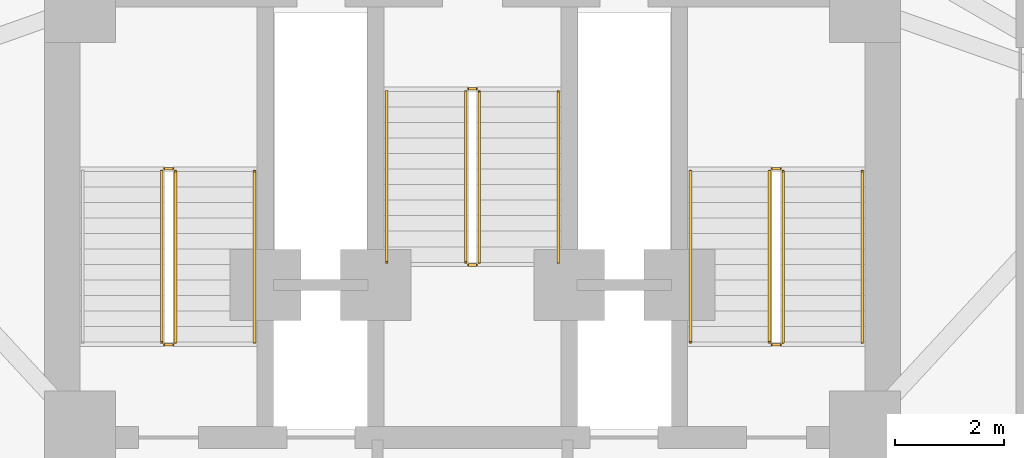
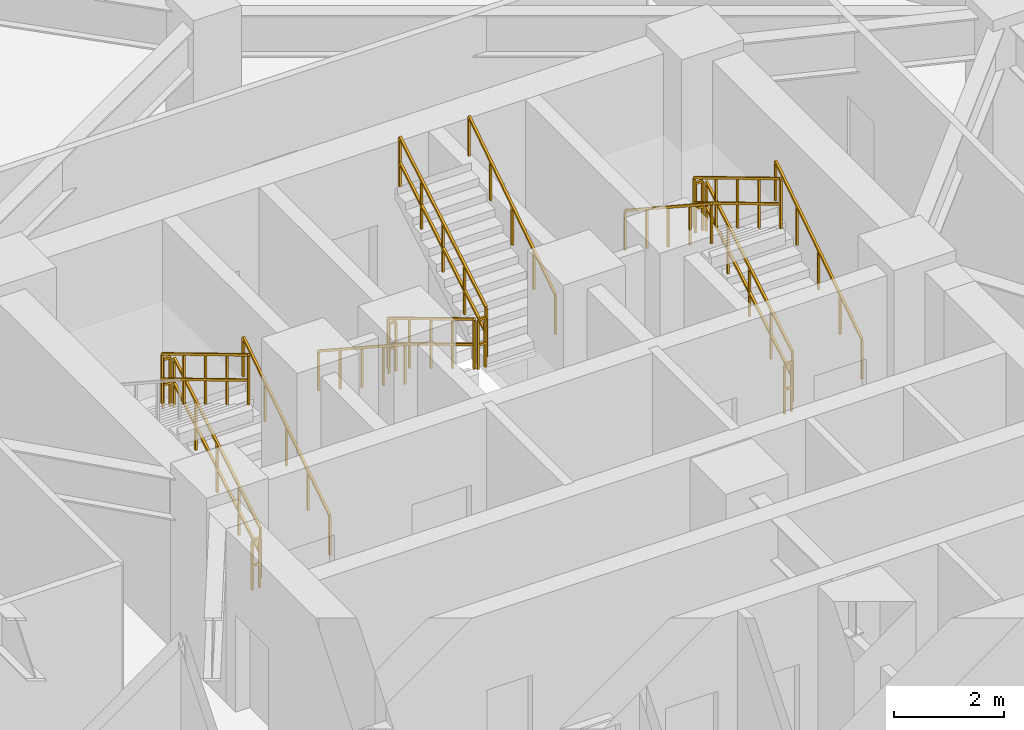
# One storey, part 9 of 10: 17 railings.
"""IFC4 building model written with IfcOpenShell, lengths in metres."""

from ifc_helpers import new_model, si_unit, direction, frame, origin, origin_2d, place, context, subcontext, project, spatial, rectangle, extrude, material, type_object, element, save


model = new_model("IFC4")

# Units and contexts
model_context = context("Model", 3, precision=1e-05, world=origin(), true_north=direction((0.0, 1.0)))
body_context = subcontext(model_context, "Body", "Model", "MODEL_VIEW")
ifc_project = project(units=[si_unit("LENGTHUNIT", "METRE"), si_unit("AREAUNIT", "SQUARE_METRE"), si_unit("VOLUMEUNIT", "CUBIC_METRE"), si_unit("PLANEANGLEUNIT", "RADIAN"), si_unit("MASSUNIT", "GRAM", prefix="KILO")], contexts=[model_context])

# Site, building, storey
site_placement = place(None, origin())
site = spatial("IfcSite", under=ifc_project, at=site_placement, CompositionType="ELEMENT")
building_placement = place(site_placement, origin())
building = spatial("IfcBuilding", under=site, at=building_placement, Name="Apsidion Concourse Tower", CompositionType="ELEMENT")
storey_placement = place(building_placement, frame((0.0, 0.0, 152.699951171875)))
storey = spatial("IfcBuildingStorey", under=building, at=storey_placement, Name="L35", CompositionType="ELEMENT", Elevation=152.699951171875)

# Railings
ifc_material = material(Name="Brushed stainless steel 316", Category="steel")
railing_type_1 = type_object("IfcRailingType", Name="RL-GUARD-1100", PredefinedType="GUARDRAIL", material=ifc_material)
railing_1_placement = place(storey_placement, frame((-5.449951171875, 3.0, 0.1708984375)))
element("IfcRailing", 1, at=railing_1_placement, inside=storey, type_object=railing_type_1, Name="L35 ST1 stair guard 1", PredefinedType="GUARDRAIL", context=body_context, shape_type="SweptSolid", body=[
    extrude(rectangle(XDim=0.048095703125, YDim=0.048095703125, at=origin_2d()), frame((0.0, 0.0, 1.09619140625), z_axis=(0.0, 0.857716804754, 0.514122439544), x_axis=(-1.0, 0.0, 0.0)), (0.0, 0.0, 1.0), 3.655029296875),
    extrude(rectangle(XDim=0.048095703125, YDim=0.048095703125, at=origin_2d()), frame((0.0, 0.0, 0.5361328125), z_axis=(0.0, 0.857716804754, 0.514122439544), x_axis=(-1.0, 0.0, 0.0)), (0.0, 0.0, 1.0), 3.655029296875),
    extrude(rectangle(XDim=0.0419921875, YDim=0.0419921875, at=origin_2d()), origin(), (0.0, 0.0, 1.0), 1.072021484375),
    extrude(rectangle(XDim=0.0419921875, YDim=0.0419921875, at=origin_2d()), frame((0.0, 0.78369140625, 0.4697265625)), (0.0, 0.0, 1.0), 1.072021484375),
    extrude(rectangle(XDim=0.0419921875, YDim=0.0419921875, at=origin_2d()), frame((0.0, 1.5673828125, 0.939453125)), (0.0, 0.0, 1.0), 1.072021484375),
    extrude(rectangle(XDim=0.0419921875, YDim=0.0419921875, at=origin_2d()), frame((0.0, 2.351318359375, 1.409423828125)), (0.0, 0.0, 1.0), 1.072021484375),
    extrude(rectangle(XDim=0.0419921875, YDim=0.0419921875, at=origin_2d()), frame((0.0, 3.135009765625, 1.879150390625)), (0.0, 0.0, 1.0), 1.072021484375),
])
railing_2_placement = place(storey_placement, frame((-5.5, 6.18505859375, 2.050048828125)))
element("IfcRailing", 2, at=railing_2_placement, inside=storey, type_object=railing_type_1, Name="L35 ST1 stair guard 2", PredefinedType="GUARDRAIL", context=body_context, shape_type="SweptSolid", body=[
    extrude(rectangle(XDim=0.048095703125, YDim=0.048095703125, at=origin_2d()), frame((0.0, 0.0, 1.09619140625), z_axis=(-1.0, 0.0, 0.0), x_axis=(0.0, -1.0, 0.0)), (0.0, 0.0, 1.0), 0.14990234375),
    extrude(rectangle(XDim=0.048095703125, YDim=0.048095703125, at=origin_2d()), frame((0.0, 0.0, 0.5361328125), z_axis=(-1.0, 0.0, 0.0), x_axis=(0.0, -1.0, 0.0)), (0.0, 0.0, 1.0), 0.14990234375),
    extrude(rectangle(XDim=0.0419921875, YDim=0.0419921875, at=origin_2d()), origin(), (0.0, 0.0, 1.0), 1.072021484375),
    extrude(rectangle(XDim=0.0419921875, YDim=0.0419921875, at=origin_2d()), frame((-0.14990234375, 0.0, 0.0)), (0.0, 0.0, 1.0), 1.072021484375),
])
railing_3_placement = place(storey_placement, frame((-5.699951171875, 6.135009765625, 2.220947265625)))
element("IfcRailing", 3, at=railing_3_placement, inside=storey, type_object=railing_type_1, Name="L35 ST1 stair guard 3", PredefinedType="GUARDRAIL", context=body_context, shape_type="SweptSolid", body=[
    extrude(rectangle(XDim=0.048095703125, YDim=0.048095703125, at=origin_2d()), frame((0.0, 0.0, 1.09619140625), z_axis=(0.0, -0.857716804754, 0.514122439544), x_axis=(1.0, 0.0, 0.0)), (0.0, 0.0, 1.0), 3.655029296875),
    extrude(rectangle(XDim=0.048095703125, YDim=0.048095703125, at=origin_2d()), frame((0.0, 0.0, 0.5361328125), z_axis=(0.0, -0.857716804754, 0.514122439544), x_axis=(1.0, 0.0, 0.0)), (0.0, 0.0, 1.0), 3.655029296875),
    extrude(rectangle(XDim=0.0419921875, YDim=0.0419921875, at=origin_2d()), origin(), (0.0, 0.0, 1.0), 1.072021484375),
    extrude(rectangle(XDim=0.0419921875, YDim=0.0419921875, at=origin_2d()), frame((0.0, -0.78369140625, 0.4697265625)), (0.0, 0.0, 1.0), 1.072021484375),
    extrude(rectangle(XDim=0.0419921875, YDim=0.0419921875, at=origin_2d()), frame((0.0, -1.5673828125, 0.939453125)), (0.0, 0.0, 1.0), 1.072021484375),
    extrude(rectangle(XDim=0.0419921875, YDim=0.0419921875, at=origin_2d()), frame((0.0, -2.351318359375, 1.409423828125)), (0.0, 0.0, 1.0), 1.072021484375),
    extrude(rectangle(XDim=0.0419921875, YDim=0.0419921875, at=origin_2d()), frame((0.0, -3.135009765625, 1.879150390625)), (0.0, 0.0, 1.0), 1.072021484375),
])
railing_4_placement = place(storey_placement, frame((-5.5, 2.949951171875, 0.0)))
element("IfcRailing", 4, at=railing_4_placement, inside=storey, type_object=railing_type_1, Name="L35 ST1 stair guard 4", PredefinedType="GUARDRAIL", context=body_context, shape_type="SweptSolid", body=[
    extrude(rectangle(XDim=0.048095703125, YDim=0.048095703125, at=origin_2d()), frame((0.0, 0.0, 1.09619140625), z_axis=(-1.0, 0.0, 0.0), x_axis=(0.0, -1.0, 0.0)), (0.0, 0.0, 1.0), 0.14990234375),
    extrude(rectangle(XDim=0.048095703125, YDim=0.048095703125, at=origin_2d()), frame((0.0, 0.0, 0.5361328125), z_axis=(-1.0, 0.0, 0.0), x_axis=(0.0, -1.0, 0.0)), (0.0, 0.0, 1.0), 0.14990234375),
    extrude(rectangle(XDim=0.0419921875, YDim=0.0419921875, at=origin_2d()), origin(), (0.0, 0.0, 1.0), 1.072021484375),
    extrude(rectangle(XDim=0.0419921875, YDim=0.0419921875, at=origin_2d()), frame((-0.14990234375, 0.0, 0.0)), (0.0, 0.0, 1.0), 1.072021484375),
])
railing_5_placement = place(storey_placement, frame((5.699951171875, 3.0, 0.1708984375)))
element("IfcRailing", 5, at=railing_5_placement, inside=storey, type_object=railing_type_1, Name="L35 ST2 stair guard 1", PredefinedType="GUARDRAIL", context=body_context, shape_type="SweptSolid", body=[
    extrude(rectangle(XDim=0.048095703125, YDim=0.048095703125, at=origin_2d()), frame((0.0, 0.0, 1.09619140625), z_axis=(0.0, 0.857716804754, 0.514122439544), x_axis=(-1.0, 0.0, 0.0)), (0.0, 0.0, 1.0), 3.655029296875),
    extrude(rectangle(XDim=0.048095703125, YDim=0.048095703125, at=origin_2d()), frame((0.0, 0.0, 0.5361328125), z_axis=(0.0, 0.857716804754, 0.514122439544), x_axis=(-1.0, 0.0, 0.0)), (0.0, 0.0, 1.0), 3.655029296875),
    extrude(rectangle(XDim=0.0419921875, YDim=0.0419921875, at=origin_2d()), origin(), (0.0, 0.0, 1.0), 1.072021484375),
    extrude(rectangle(XDim=0.0419921875, YDim=0.0419921875, at=origin_2d()), frame((0.0, 0.78369140625, 0.4697265625)), (0.0, 0.0, 1.0), 1.072021484375),
    extrude(rectangle(XDim=0.0419921875, YDim=0.0419921875, at=origin_2d()), frame((0.0, 1.5673828125, 0.939453125)), (0.0, 0.0, 1.0), 1.072021484375),
    extrude(rectangle(XDim=0.0419921875, YDim=0.0419921875, at=origin_2d()), frame((0.0, 2.351318359375, 1.409423828125)), (0.0, 0.0, 1.0), 1.072021484375),
    extrude(rectangle(XDim=0.0419921875, YDim=0.0419921875, at=origin_2d()), frame((0.0, 3.135009765625, 1.879150390625)), (0.0, 0.0, 1.0), 1.072021484375),
])
railing_6_placement = place(storey_placement, frame((5.64990234375, 6.18505859375, 2.050048828125)))
element("IfcRailing", 6, at=railing_6_placement, inside=storey, type_object=railing_type_1, Name="L35 ST2 stair guard 2", PredefinedType="GUARDRAIL", context=body_context, shape_type="SweptSolid", body=[
    extrude(rectangle(XDim=0.048095703125, YDim=0.048095703125, at=origin_2d()), frame((0.0, 0.0, 1.09619140625), z_axis=(-1.0, 0.0, 0.0), x_axis=(0.0, -1.0, 0.0)), (0.0, 0.0, 1.0), 0.14990234375),
    extrude(rectangle(XDim=0.048095703125, YDim=0.048095703125, at=origin_2d()), frame((0.0, 0.0, 0.5361328125), z_axis=(-1.0, 0.0, 0.0), x_axis=(0.0, -1.0, 0.0)), (0.0, 0.0, 1.0), 0.14990234375),
    extrude(rectangle(XDim=0.0419921875, YDim=0.0419921875, at=origin_2d()), origin(), (0.0, 0.0, 1.0), 1.072021484375),
    extrude(rectangle(XDim=0.0419921875, YDim=0.0419921875, at=origin_2d()), frame((-0.14990234375, 0.0, 0.0)), (0.0, 0.0, 1.0), 1.072021484375),
])
railing_7_placement = place(storey_placement, frame((5.449951171875, 6.135009765625, 2.220947265625)))
element("IfcRailing", 7, at=railing_7_placement, inside=storey, type_object=railing_type_1, Name="L35 ST2 stair guard 3", PredefinedType="GUARDRAIL", context=body_context, shape_type="SweptSolid", body=[
    extrude(rectangle(XDim=0.048095703125, YDim=0.048095703125, at=origin_2d()), frame((0.0, 0.0, 1.09619140625), z_axis=(0.0, -0.857716804754, 0.514122439544), x_axis=(1.0, 0.0, 0.0)), (0.0, 0.0, 1.0), 3.655029296875),
    extrude(rectangle(XDim=0.048095703125, YDim=0.048095703125, at=origin_2d()), frame((0.0, 0.0, 0.5361328125), z_axis=(0.0, -0.857716804754, 0.514122439544), x_axis=(1.0, 0.0, 0.0)), (0.0, 0.0, 1.0), 3.655029296875),
    extrude(rectangle(XDim=0.0419921875, YDim=0.0419921875, at=origin_2d()), origin(), (0.0, 0.0, 1.0), 1.072021484375),
    extrude(rectangle(XDim=0.0419921875, YDim=0.0419921875, at=origin_2d()), frame((0.0, -0.78369140625, 0.4697265625)), (0.0, 0.0, 1.0), 1.072021484375),
    extrude(rectangle(XDim=0.0419921875, YDim=0.0419921875, at=origin_2d()), frame((0.0, -1.5673828125, 0.939453125)), (0.0, 0.0, 1.0), 1.072021484375),
    extrude(rectangle(XDim=0.0419921875, YDim=0.0419921875, at=origin_2d()), frame((0.0, -2.351318359375, 1.409423828125)), (0.0, 0.0, 1.0), 1.072021484375),
    extrude(rectangle(XDim=0.0419921875, YDim=0.0419921875, at=origin_2d()), frame((0.0, -3.135009765625, 1.879150390625)), (0.0, 0.0, 1.0), 1.072021484375),
])
railing_8_placement = place(storey_placement, frame((5.64990234375, 2.949951171875, 0.0)))
element("IfcRailing", 8, at=railing_8_placement, inside=storey, type_object=railing_type_1, Name="L35 ST2 stair guard 4", PredefinedType="GUARDRAIL", context=body_context, shape_type="SweptSolid", body=[
    extrude(rectangle(XDim=0.048095703125, YDim=0.048095703125, at=origin_2d()), frame((0.0, 0.0, 1.09619140625), z_axis=(-1.0, 0.0, 0.0), x_axis=(0.0, -1.0, 0.0)), (0.0, 0.0, 1.0), 0.14990234375),
    extrude(rectangle(XDim=0.048095703125, YDim=0.048095703125, at=origin_2d()), frame((0.0, 0.0, 0.5361328125), z_axis=(-1.0, 0.0, 0.0), x_axis=(0.0, -1.0, 0.0)), (0.0, 0.0, 1.0), 0.14990234375),
    extrude(rectangle(XDim=0.0419921875, YDim=0.0419921875, at=origin_2d()), origin(), (0.0, 0.0, 1.0), 1.072021484375),
    extrude(rectangle(XDim=0.0419921875, YDim=0.0419921875, at=origin_2d()), frame((-0.14990234375, 0.0, 0.0)), (0.0, 0.0, 1.0), 1.072021484375),
])
railing_9_placement = place(storey_placement, frame((-0.125, 7.60009765625, 0.1708984375)))
element("IfcRailing", 9, at=railing_9_placement, inside=storey, type_object=railing_type_1, Name="L35 ST3 stair guard 1", PredefinedType="GUARDRAIL", context=body_context, shape_type="SweptSolid", body=[
    extrude(rectangle(XDim=0.048095703125, YDim=0.048095703125, at=origin_2d()), frame((0.0, 0.0, 1.09619140625), z_axis=(0.0, -0.857716804754, 0.514122439544), x_axis=(1.0, 0.0, 0.0)), (0.0, 0.0, 1.0), 3.655029296875),
    extrude(rectangle(XDim=0.048095703125, YDim=0.048095703125, at=origin_2d()), frame((0.0, 0.0, 0.5361328125), z_axis=(0.0, -0.857716804754, 0.514122439544), x_axis=(1.0, 0.0, 0.0)), (0.0, 0.0, 1.0), 3.655029296875),
    extrude(rectangle(XDim=0.0419921875, YDim=0.0419921875, at=origin_2d()), origin(), (0.0, 0.0, 1.0), 1.072021484375),
    extrude(rectangle(XDim=0.0419921875, YDim=0.0419921875, at=origin_2d()), frame((0.0, -0.78369140625, 0.4697265625)), (0.0, 0.0, 1.0), 1.072021484375),
    extrude(rectangle(XDim=0.0419921875, YDim=0.0419921875, at=origin_2d()), frame((0.0, -1.5673828125, 0.939453125)), (0.0, 0.0, 1.0), 1.072021484375),
    extrude(rectangle(XDim=0.0419921875, YDim=0.0419921875, at=origin_2d()), frame((0.0, -2.351318359375, 1.409423828125)), (0.0, 0.0, 1.0), 1.072021484375),
    extrude(rectangle(XDim=0.0419921875, YDim=0.0419921875, at=origin_2d()), frame((0.0, -3.135009765625, 1.879150390625)), (0.0, 0.0, 1.0), 1.072021484375),
])
railing_10_placement = place(storey_placement, frame((-0.074951171875, 4.4150390625, 2.050048828125)))
element("IfcRailing", 10, at=railing_10_placement, inside=storey, type_object=railing_type_1, Name="L35 ST3 stair guard 2", PredefinedType="GUARDRAIL", context=body_context, shape_type="SweptSolid", body=[
    extrude(rectangle(XDim=0.048095703125, YDim=0.048095703125, at=origin_2d()), frame((0.0, 0.0, 1.09619140625), z_axis=(1.0, 0.0, 0.0), x_axis=(0.0, 1.0, 0.0)), (0.0, 0.0, 1.0), 0.14990234375),
    extrude(rectangle(XDim=0.048095703125, YDim=0.048095703125, at=origin_2d()), frame((0.0, 0.0, 0.5361328125), z_axis=(1.0, 0.0, 0.0), x_axis=(0.0, 1.0, 0.0)), (0.0, 0.0, 1.0), 0.14990234375),
    extrude(rectangle(XDim=0.0419921875, YDim=0.0419921875, at=origin_2d()), origin(), (0.0, 0.0, 1.0), 1.072021484375),
    extrude(rectangle(XDim=0.0419921875, YDim=0.0419921875, at=origin_2d()), frame((0.14990234375, 0.0, 0.0)), (0.0, 0.0, 1.0), 1.072021484375),
])
railing_11_placement = place(storey_placement, frame((0.125, 4.465087890625, 2.220947265625)))
element("IfcRailing", 11, at=railing_11_placement, inside=storey, type_object=railing_type_1, Name="L35 ST3 stair guard 3", PredefinedType="GUARDRAIL", context=body_context, shape_type="SweptSolid", body=[
    extrude(rectangle(XDim=0.048095703125, YDim=0.048095703125, at=origin_2d()), frame((0.0, 0.0, 1.09619140625), z_axis=(0.0, 0.857716804754, 0.514122439544), x_axis=(-1.0, 0.0, 0.0)), (0.0, 0.0, 1.0), 3.655029296875),
    extrude(rectangle(XDim=0.048095703125, YDim=0.048095703125, at=origin_2d()), frame((0.0, 0.0, 0.5361328125), z_axis=(0.0, 0.857716804754, 0.514122439544), x_axis=(-1.0, 0.0, 0.0)), (0.0, 0.0, 1.0), 3.655029296875),
    extrude(rectangle(XDim=0.0419921875, YDim=0.0419921875, at=origin_2d()), origin(), (0.0, 0.0, 1.0), 1.072021484375),
    extrude(rectangle(XDim=0.0419921875, YDim=0.0419921875, at=origin_2d()), frame((0.0, 0.78369140625, 0.4697265625)), (0.0, 0.0, 1.0), 1.072021484375),
    extrude(rectangle(XDim=0.0419921875, YDim=0.0419921875, at=origin_2d()), frame((0.0, 1.5673828125, 0.939453125)), (0.0, 0.0, 1.0), 1.072021484375),
    extrude(rectangle(XDim=0.0419921875, YDim=0.0419921875, at=origin_2d()), frame((0.0, 2.351318359375, 1.409423828125)), (0.0, 0.0, 1.0), 1.072021484375),
    extrude(rectangle(XDim=0.0419921875, YDim=0.0419921875, at=origin_2d()), frame((0.0, 3.135009765625, 1.879150390625)), (0.0, 0.0, 1.0), 1.072021484375),
])
railing_12_placement = place(storey_placement, frame((-0.074951171875, 7.64990234375, 0.0)))
element("IfcRailing", 12, at=railing_12_placement, inside=storey, type_object=railing_type_1, Name="L35 ST3 stair guard 4", PredefinedType="GUARDRAIL", context=body_context, shape_type="SweptSolid", body=[
    extrude(rectangle(XDim=0.048095703125, YDim=0.048095703125, at=origin_2d()), frame((0.0, 0.0, 1.09619140625), z_axis=(1.0, 0.0, 0.0), x_axis=(0.0, 1.0, 0.0)), (0.0, 0.0, 1.0), 0.14990234375),
    extrude(rectangle(XDim=0.048095703125, YDim=0.048095703125, at=origin_2d()), frame((0.0, 0.0, 0.5361328125), z_axis=(1.0, 0.0, 0.0), x_axis=(0.0, 1.0, 0.0)), (0.0, 0.0, 1.0), 0.14990234375),
    extrude(rectangle(XDim=0.0419921875, YDim=0.0419921875, at=origin_2d()), origin(), (0.0, 0.0, 1.0), 1.072021484375),
    extrude(rectangle(XDim=0.0419921875, YDim=0.0419921875, at=origin_2d()), frame((0.14990234375, 0.0, 0.0)), (0.0, 0.0, 1.0), 1.072021484375),
])
railing_type_2 = type_object("IfcRailingType", Name="RL-HAND-900", PredefinedType="HANDRAIL", material=ifc_material)
for number, where, name in (
    (13, (-4.0, 3.0, 0.1708984375), "L35 ST1 stair handrail 1"),
    (14, (7.14990234375, 3.0, 0.1708984375), "L35 ST2 stair handrail 1"),
):
    element("IfcRailing", number, at=place(storey_placement, frame(where)), inside=storey, type_object=railing_type_2, Name=name, PredefinedType="HANDRAIL", context=body_context, shape_type="SweptSolid", body=[
        extrude(rectangle(XDim=0.048095703125, YDim=0.048095703125, at=origin_2d()), frame((0.0, 0.0, 0.8759765625), z_axis=(0.0, 0.836940907821, 0.547293263996), x_axis=(-1.0, 0.0, 0.0)), (0.0, 0.0, 1.0), 3.745849609375),
        extrude(rectangle(XDim=0.0419921875, YDim=0.0419921875, at=origin_2d()), origin(), (0.0, 0.0, 1.0), 0.851806640625),
        extrude(rectangle(XDim=0.0419921875, YDim=0.0419921875, at=origin_2d()), frame((0.0, 0.78369140625, 0.512451171875)), (0.0, 0.0, 1.0), 0.851806640625),
        extrude(rectangle(XDim=0.0419921875, YDim=0.0419921875, at=origin_2d()), frame((0.0, 1.5673828125, 1.02490234375)), (0.0, 0.0, 1.0), 0.851806640625),
        extrude(rectangle(XDim=0.0419921875, YDim=0.0419921875, at=origin_2d()), frame((0.0, 2.351318359375, 1.53759765625)), (0.0, 0.0, 1.0), 0.851806640625),
        extrude(rectangle(XDim=0.0419921875, YDim=0.0419921875, at=origin_2d()), frame((0.0, 3.135009765625, 2.050048828125)), (0.0, 0.0, 1.0), 0.851806640625),
    ])
for number, where, name in (
    (15, (4.0, 6.135009765625, 2.220947265625), "L35 ST2 stair handrail 2"),
    (16, (-1.574951171875, 7.60009765625, 0.1708984375), "L35 ST3 stair handrail 1"),
):
    element("IfcRailing", number, at=place(storey_placement, frame(where)), inside=storey, type_object=railing_type_2, Name=name, PredefinedType="HANDRAIL", context=body_context, shape_type="SweptSolid", body=[
        extrude(rectangle(XDim=0.048095703125, YDim=0.048095703125, at=origin_2d()), frame((0.0, 0.0, 0.8759765625), z_axis=(0.0, -0.836940907821, 0.547293263996), x_axis=(1.0, 0.0, 0.0)), (0.0, 0.0, 1.0), 3.745849609375),
        extrude(rectangle(XDim=0.0419921875, YDim=0.0419921875, at=origin_2d()), origin(), (0.0, 0.0, 1.0), 0.851806640625),
        extrude(rectangle(XDim=0.0419921875, YDim=0.0419921875, at=origin_2d()), frame((0.0, -0.78369140625, 0.512451171875)), (0.0, 0.0, 1.0), 0.851806640625),
        extrude(rectangle(XDim=0.0419921875, YDim=0.0419921875, at=origin_2d()), frame((0.0, -1.5673828125, 1.02490234375)), (0.0, 0.0, 1.0), 0.851806640625),
        extrude(rectangle(XDim=0.0419921875, YDim=0.0419921875, at=origin_2d()), frame((0.0, -2.351318359375, 1.53759765625)), (0.0, 0.0, 1.0), 0.851806640625),
        extrude(rectangle(XDim=0.0419921875, YDim=0.0419921875, at=origin_2d()), frame((0.0, -3.135009765625, 2.050048828125)), (0.0, 0.0, 1.0), 0.851806640625),
    ])
railing_13_placement = place(storey_placement, frame((1.574951171875, 4.465087890625, 2.220947265625)))
element("IfcRailing", 17, at=railing_13_placement, inside=storey, type_object=railing_type_2, Name="L35 ST3 stair handrail 2", PredefinedType="HANDRAIL", context=body_context, shape_type="SweptSolid", body=[
    extrude(rectangle(XDim=0.048095703125, YDim=0.048095703125, at=origin_2d()), frame((0.0, 0.0, 0.8759765625), z_axis=(0.0, 0.836940907821, 0.547293263996), x_axis=(-1.0, 0.0, 0.0)), (0.0, 0.0, 1.0), 3.745849609375),
    extrude(rectangle(XDim=0.0419921875, YDim=0.0419921875, at=origin_2d()), origin(), (0.0, 0.0, 1.0), 0.851806640625),
    extrude(rectangle(XDim=0.0419921875, YDim=0.0419921875, at=origin_2d()), frame((0.0, 0.78369140625, 0.512451171875)), (0.0, 0.0, 1.0), 0.851806640625),
    extrude(rectangle(XDim=0.0419921875, YDim=0.0419921875, at=origin_2d()), frame((0.0, 1.5673828125, 1.02490234375)), (0.0, 0.0, 1.0), 0.851806640625),
    extrude(rectangle(XDim=0.0419921875, YDim=0.0419921875, at=origin_2d()), frame((0.0, 2.351318359375, 1.53759765625)), (0.0, 0.0, 1.0), 0.851806640625),
    extrude(rectangle(XDim=0.0419921875, YDim=0.0419921875, at=origin_2d()), frame((0.0, 3.135009765625, 2.050048828125)), (0.0, 0.0, 1.0), 0.851806640625),
])

save(model, "model.ifc")
